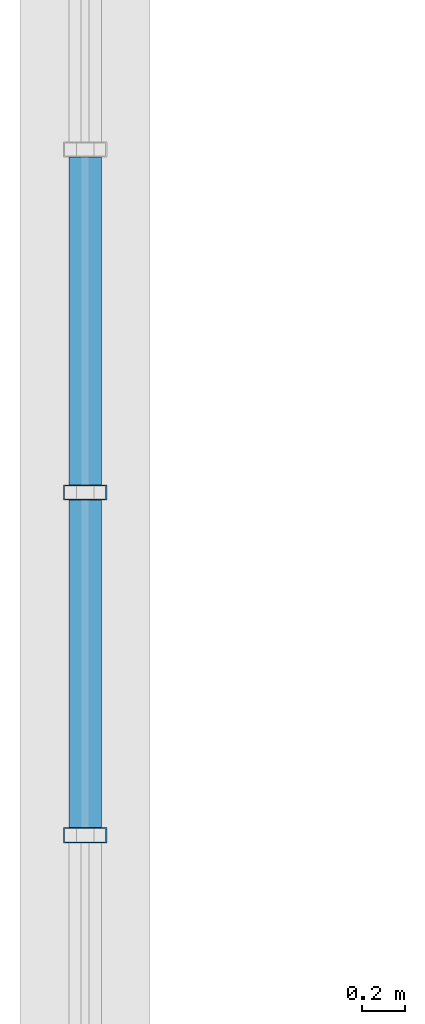
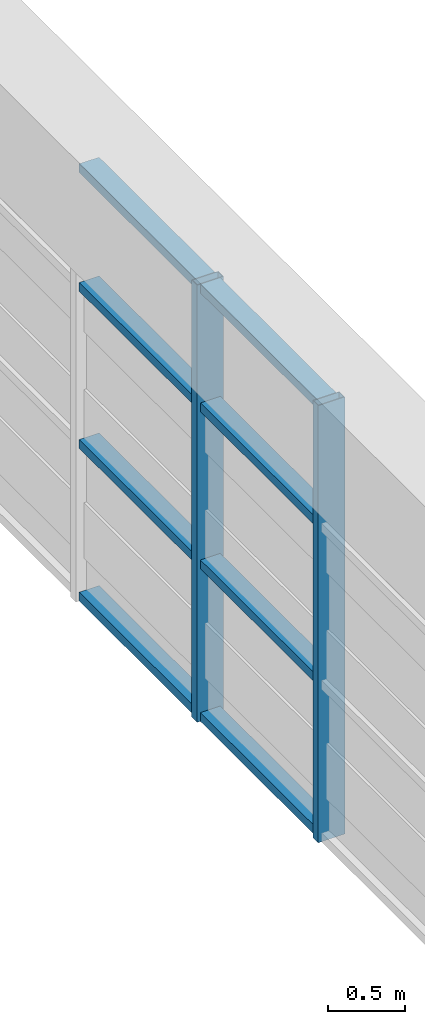
# One storey, part 10 of 27: 10 members, 1 element without a shape of its own.
"""IFC4 building model written with IfcOpenShell, lengths in metres."""

from ifc_helpers import new_model, si_unit, direction, frame, origin, origin_2d, place, context, subcontext, project, spatial, hollow_rectangle, extrude, source, transform, mapped, material, layer, layer_set, material_profile, profile_set, type_object, element, aggregate, save


model = new_model("IFC4")

# Units and contexts
model_context = context("Model", 3, precision=1e-05, world=origin(), true_north=direction((0.0, 1.0)))
body_context = subcontext(model_context, "Body", "Model", "MODEL_VIEW")
ifc_project = project(units=[si_unit("LENGTHUNIT", "METRE"), si_unit("AREAUNIT", "SQUARE_METRE"), si_unit("VOLUMEUNIT", "CUBIC_METRE"), si_unit("PLANEANGLEUNIT", "RADIAN"), si_unit("MASSUNIT", "GRAM", prefix="KILO")], contexts=[model_context])

# Site, building, storey
site_placement = place(None, origin())
site = spatial("IfcSite", under=ifc_project, at=site_placement, CompositionType="ELEMENT")
building_placement = place(site_placement, origin())
building = spatial("IfcBuilding", under=site, at=building_placement, Name="Saelheon Loggia Tower", CompositionType="ELEMENT")
storey_placement = place(building_placement, frame((0.0, 0.0, 256.0)))
storey = spatial("IfcBuildingStorey", under=building, at=storey_placement, Name="CR2", CompositionType="ELEMENT", Elevation=256.0)

# Curtain wall, members
ifc_material_1 = material(Name="Bronze-Anodised Aluminium and Fritted Ceramic Screen", Category="aluminium")
ifc_layer = layer(ifc_material_1, 0.219970703125)
ifc_layer_set = layer_set([ifc_layer], Name="Bronze-Anodised Aluminium and Fritted Ceramic Screen")
curtain_wall_type = type_object("IfcCurtainWallType", Name="CW_CrownScreen", PredefinedType="NOTDEFINED", material=ifc_layer_set)
curtain_wall_placement = place(storey_placement, origin())
curtain_wall = element("IfcCurtainWall", 1, at=curtain_wall_placement, inside=storey, type_object=curtain_wall_type, Name="CR2 Crown Screen Curtain Wall 9-2", PredefinedType="NOTDEFINED")
ifc_material_2 = material(Name="Bronze-Anodised Aluminium 6063-T6", Category="aluminium")
ifc_material_profile_1 = material_profile(ifc_material_2, hollow_rectangle(XDim=0.070068359375, YDim=0.199951171875, WallThickness=0.0048828125, at=origin_2d()), Name="RHS-200x70x5")
ifc_profile_set_1 = profile_set([ifc_material_profile_1], Name="Bronze-Anodised Aluminium 6063-T6")
member_type_1 = type_object("IfcMemberType", Name="CW_CrownScreen_Mullion", PredefinedType="MULLION", material=ifc_profile_set_1)
shared_shape_1 = source(origin(), body_context, "Body", "SweptSolid", [
    extrude(hollow_rectangle(XDim=0.070068359375, YDim=0.199951171875, WallThickness=0.0048828125, at=origin_2d()), origin(), (0.0, 0.0, 1.0), 3.47998046875),
])
member_1_placement = place(storey_placement, frame((23.35009765625, 29.3701171875, 0.0), z_axis=(0.0, 0.0, 1.0), x_axis=(0.0, -1.0, 0.0)))
member_1 = element("IfcMember", 2, at=member_1_placement, type_object=member_type_1, Name="CW6 mullion 5", PredefinedType="MULLION", context=body_context, shape_type="MappedRepresentation", body=[
    mapped(shared_shape_1, transform((0.0, 0.0, 0.0), scale=1.0)),
])
member_2_placement = place(storey_placement, frame((23.35009765625, 27.7900390625, 0.0), z_axis=(0.0, 0.0, 1.0), x_axis=(0.0, -1.0, 0.0)))
member_2 = element("IfcMember", 3, at=member_2_placement, type_object=member_type_1, Name="CW6 mullion 6", PredefinedType="MULLION", context=body_context, shape_type="MappedRepresentation", body=[
    mapped(shared_shape_1, transform((0.0, 0.0, 0.0), scale=1.0)),
])
ifc_material_profile_2 = material_profile(ifc_material_2, hollow_rectangle(XDim=0.070068359375, YDim=0.14990234375, WallThickness=0.0048828125, at=origin_2d()), Name="RHS-150x70x5")
ifc_profile_set_2 = profile_set([ifc_material_profile_2], Name="Bronze-Anodised Aluminium 6063-T6")
member_type_2 = type_object("IfcMemberType", Name="CW_CrownScreen_Transom", PredefinedType="USERDEFINED", material=ifc_profile_set_2)
shared_shape_2 = source(origin(), body_context, "Body", "SweptSolid", [
    extrude(hollow_rectangle(XDim=0.070068359375, YDim=0.14990234375, WallThickness=0.0048828125, at=origin_2d()), origin(), (0.0, 0.0, 1.0), 1.510009765625),
])
member_3_placement = place(storey_placement, frame((23.35009765625, 30.9150390625, 0.034912109375), z_axis=(0.0, -1.0, 0.0), x_axis=(0.0, 0.0, 1.0)))
member_3 = element("IfcMember", 4, at=member_3_placement, type_object=member_type_2, Name="CW6 transom 4.1", ObjectType="TRANSOM", PredefinedType="USERDEFINED", context=body_context, shape_type="MappedRepresentation", body=[
    mapped(shared_shape_2, transform((0.0, 0.0, 0.0), scale=1.0)),
])
member_4_placement = place(storey_placement, frame((23.35009765625, 30.9150390625, 1.25), z_axis=(0.0, -1.0, 0.0), x_axis=(0.0, 0.0, 1.0)))
member_4 = element("IfcMember", 5, at=member_4_placement, type_object=member_type_2, Name="CW6 transom 4.2", ObjectType="TRANSOM", PredefinedType="USERDEFINED", context=body_context, shape_type="MappedRepresentation", body=[
    mapped(shared_shape_2, transform((0.0, 0.0, 0.0), scale=1.0)),
])
member_5_placement = place(storey_placement, frame((23.35009765625, 30.9150390625, 2.5), z_axis=(0.0, -1.0, 0.0), x_axis=(0.0, 0.0, 1.0)))
member_5 = element("IfcMember", 6, at=member_5_placement, type_object=member_type_2, Name="CW6 transom 4.3", ObjectType="TRANSOM", PredefinedType="USERDEFINED", context=body_context, shape_type="MappedRepresentation", body=[
    mapped(shared_shape_2, transform((0.0, 0.0, 0.0), scale=1.0)),
])
member_6_placement = place(storey_placement, frame((23.35009765625, 30.9150390625, 3.445068359375), z_axis=(0.0, -1.0, 0.0), x_axis=(0.0, 0.0, 1.0)))
member_6 = element("IfcMember", 7, at=member_6_placement, type_object=member_type_2, Name="CW6 transom 4.4", ObjectType="TRANSOM", PredefinedType="USERDEFINED", context=body_context, shape_type="MappedRepresentation", body=[
    mapped(shared_shape_2, transform((0.0, 0.0, 0.0), scale=1.0)),
])
member_7_placement = place(storey_placement, frame((23.35009765625, 29.3349609375, 0.034912109375), z_axis=(0.0, -1.0, 0.0), x_axis=(0.0, 0.0, 1.0)))
member_7 = element("IfcMember", 8, at=member_7_placement, type_object=member_type_2, Name="CW6 transom 5.1", ObjectType="TRANSOM", PredefinedType="USERDEFINED", context=body_context, shape_type="MappedRepresentation", body=[
    mapped(shared_shape_2, transform((0.0, 0.0, 0.0), scale=1.0)),
])
member_8_placement = place(storey_placement, frame((23.35009765625, 29.3349609375, 1.25), z_axis=(0.0, -1.0, 0.0), x_axis=(0.0, 0.0, 1.0)))
member_8 = element("IfcMember", 9, at=member_8_placement, type_object=member_type_2, Name="CW6 transom 5.2", ObjectType="TRANSOM", PredefinedType="USERDEFINED", context=body_context, shape_type="MappedRepresentation", body=[
    mapped(shared_shape_2, transform((0.0, 0.0, 0.0), scale=1.0)),
])
member_9_placement = place(storey_placement, frame((23.35009765625, 29.3349609375, 2.5), z_axis=(0.0, -1.0, 0.0), x_axis=(0.0, 0.0, 1.0)))
member_9 = element("IfcMember", 10, at=member_9_placement, type_object=member_type_2, Name="CW6 transom 5.3", ObjectType="TRANSOM", PredefinedType="USERDEFINED", context=body_context, shape_type="MappedRepresentation", body=[
    mapped(shared_shape_2, transform((0.0, 0.0, 0.0), scale=1.0)),
])
member_10_placement = place(storey_placement, frame((23.35009765625, 29.3349609375, 3.445068359375), z_axis=(0.0, -1.0, 0.0), x_axis=(0.0, 0.0, 1.0)))
member_10 = element("IfcMember", 11, at=member_10_placement, type_object=member_type_2, Name="CW6 transom 5.4", ObjectType="TRANSOM", PredefinedType="USERDEFINED", context=body_context, shape_type="MappedRepresentation", body=[
    mapped(shared_shape_2, transform((0.0, 0.0, 0.0), scale=1.0)),
])
aggregate(curtain_wall, [member_1, member_2, member_3, member_4, member_5, member_6, member_7, member_8, member_9, member_10])

save(model, "model.ifc")
